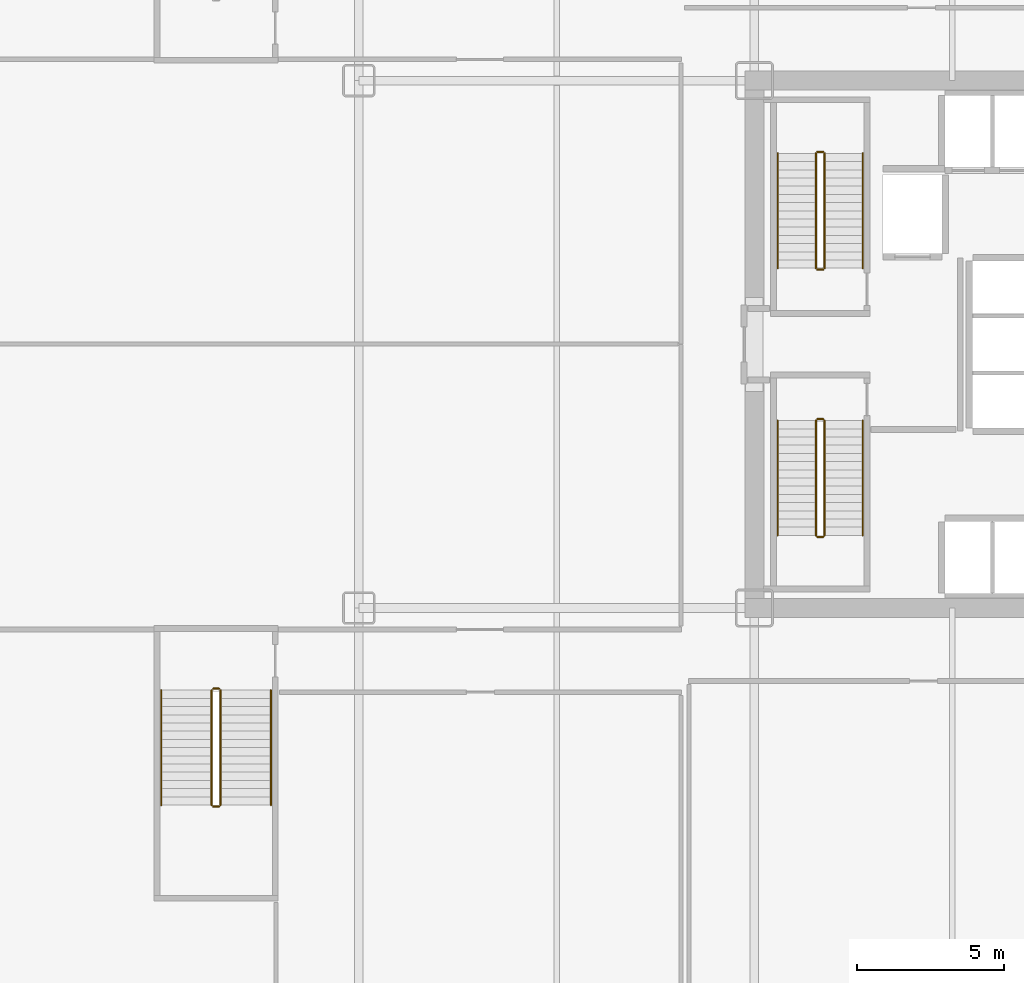
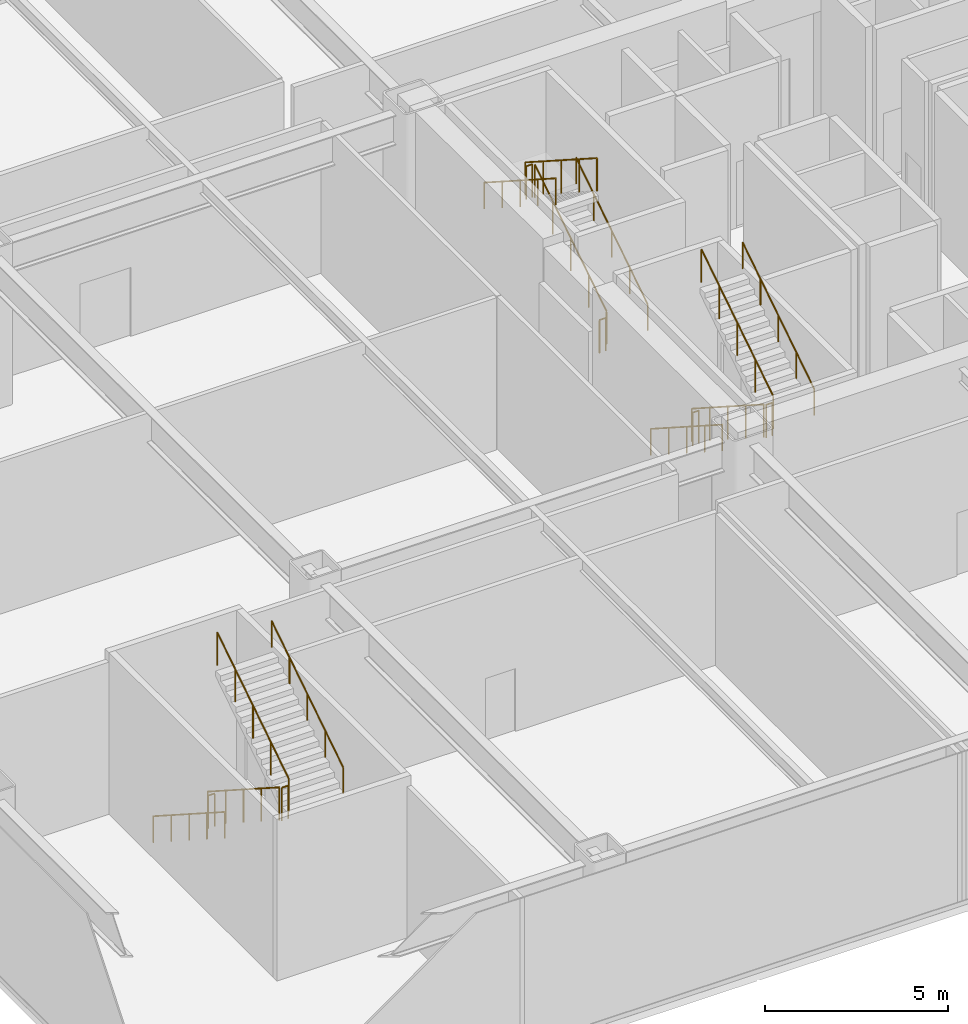
# One storey, part 21 of 24: 18 railings.
"""IFC4 building model written with IfcOpenShell, lengths in metres."""

import ifcopenshell
import ifcopenshell.guid

model = None  # the IFC model being written
_history = None  # IfcOwnerHistory: only IFC2X3 demands one
_inside = {}  # id of a spatial element -> (the spatial element, [elements in it])
_under = {}  # id of a project, library or spatial element -> (it, [spatial elements below it])
_declared = {}  # id of a project -> (the project, [libraries it declares])
_typed = {}  # id of a type object -> (the type object, [elements of that type])
_made_of = {}  # id of a material, layer set ... -> (it, [elements and type objects made of it])


def new_model(schema):
    """Start an empty IFC model of exactly this schema.

    Asked for "IFC4X3", IfcOpenShell would pick the latest addendum, in which some entities
    have other attributes; the version numbers below select the first issue.
    IFC2X3 requires an IfcOwnerHistory on every rooted entity: one is made here for all.
    """
    global model, _history
    if schema == "IFC4X3":
        model = ifcopenshell.file(schema_version=(4, 3, 0, 0))
    else:
        model = ifcopenshell.file(schema=schema)
    _inside.clear()
    _under.clear()
    _declared.clear()
    _typed.clear()
    _made_of.clear()
    _history = None
    if model.schema == "IFC2X3":
        org = make("IfcOrganization", Name="unknown")
        user = make(
            "IfcPersonAndOrganization",
            ThePerson=make("IfcPerson", FamilyName="unknown"),
            TheOrganization=org,
        )
        app = make(
            "IfcApplication",
            ApplicationDeveloper=org,
            Version="unknown",
            ApplicationFullName="unknown",
            ApplicationIdentifier="unknown",
        )
        _history = make(
            "IfcOwnerHistory",
            OwningUser=user,
            OwningApplication=app,
            ChangeAction="ADDED",
            CreationDate=0,
        )
    return model


def make(cls, **values):
    """One entity of the class cls with the attributes given. An attribute that is None is left unset."""
    return model.create_entity(
        cls, **{name: value for name, value in values.items() if value is not None}
    )


def rooted(cls, **values):
    """An entity with a GlobalId (a new one), such as an element, a storey or a relation."""
    return make(cls, GlobalId=ifcopenshell.guid.new(), OwnerHistory=_history, **values)


def si_unit(unit_type, name, prefix=None):
    """IfcSIUnit, for example si_unit("LENGTHUNIT", "METRE", prefix="MILLI")."""
    return make("IfcSIUnit", UnitType=unit_type, Prefix=prefix, Name=name)


def assignment(units):
    """IfcUnitAssignment: the units of a project."""
    return None if units is None else make("IfcUnitAssignment", Units=units)


def point(xyz):
    """IfcCartesianPoint."""
    return None if xyz is None else make("IfcCartesianPoint", Coordinates=xyz)


def direction(xyz):
    """IfcDirection."""
    return None if xyz is None else make("IfcDirection", DirectionRatios=xyz)


def frame(location, z_axis=None, x_axis=None):
    """IfcAxis2Placement3D, a coordinate frame: its origin and axes. An axis left out is left unset."""
    return make(
        "IfcAxis2Placement3D",
        Location=point(location),
        Axis=direction(z_axis),
        RefDirection=direction(x_axis),
    )


def frame_2d(location, x_axis=None):
    """IfcAxis2Placement2D, a coordinate frame in the plane: its origin and x axis."""
    return make(
        "IfcAxis2Placement2D", Location=point(location), RefDirection=direction(x_axis)
    )


def origin():
    """The frame at (0, 0, 0) with its axes left unset."""
    return frame((0.0, 0.0, 0.0))


def origin_2d():
    """The frame at (0, 0) in the plane with its x axis left unset."""
    return frame_2d((0.0, 0.0))


def place(relative_to, where):
    """IfcLocalPlacement: puts the frame where relative to a parent placement (None: the world)."""
    return make(
        "IfcLocalPlacement", PlacementRelTo=relative_to, RelativePlacement=where
    )


def context(
    kind, dimensions, precision=None, world=None, true_north=None, identifier=None
):
    """IfcGeometricRepresentationContext, for example the 3D "Model" context."""
    return make(
        "IfcGeometricRepresentationContext",
        ContextIdentifier=identifier,
        ContextType=kind,
        CoordinateSpaceDimension=dimensions,
        Precision=precision,
        WorldCoordinateSystem=world,
        TrueNorth=true_north,
    )


def subcontext(parent, identifier, kind, view, scale=None):
    """IfcGeometricRepresentationSubContext, for example "Body" below "Model"."""
    return make(
        "IfcGeometricRepresentationSubContext",
        ContextIdentifier=identifier,
        ContextType=kind,
        ParentContext=parent,
        TargetScale=scale,
        TargetView=view,
    )


def project(units=None, contexts=None):
    """IfcProject with its units and contexts."""
    return rooted(
        "IfcProject",
        Name="project",
        RepresentationContexts=contexts,
        UnitsInContext=assignment(units),
    )


def spatial(cls, under=None, at=None, **own):
    """A site, building, storey or space (cls), placed at a placement, below another one or the project."""
    s = rooted(cls, ObjectPlacement=at, **own)
    if under is not None:
        _under.setdefault(under.id(), (under, []))[1].append(s)
    return s


def profile(cls, at=None, kind="AREA", **sizes):
    """A parametric profile (cls). Its sizes go by their IFC names, for example OverallWidth=200.0."""
    return make(cls, ProfileType=kind, Position=at, **sizes)


def circle(**sizes):
    """IfcCircleProfileDef."""
    return profile("IfcCircleProfileDef", **sizes)


def extrude(swept, where, along, depth):
    """IfcExtrudedAreaSolid: the profile swept, set in the frame where, extruded along a direction by depth."""
    return make(
        "IfcExtrudedAreaSolid",
        SweptArea=swept,
        Position=where,
        ExtrudedDirection=direction(along),
        Depth=depth,
    )


def shape(context_of_items, identifier, shape_type, items):
    """IfcShapeRepresentation: the items that make up one representation, for example the "Body"."""
    return make(
        "IfcShapeRepresentation",
        ContextOfItems=context_of_items,
        RepresentationIdentifier=identifier,
        RepresentationType=shape_type,
        Items=items,
    )


def material(Name=None, Category=None):
    """IfcMaterial."""
    return make("IfcMaterial", Name=Name, Category=Category)


def made_of(thing, what):
    """Note that an element or type object is made of a material, layer set ...; save() writes the relation."""
    if what is not None:
        _made_of.setdefault(what.id(), (what, []))[1].append(thing)
    return thing


def type_object(cls, material=None, **own):
    """A type object (cls), such as IfcWallType, which elements share."""
    return made_of(rooted(cls, **own), material)


def element(
    cls,
    number,
    at=None,
    inside=None,
    cuts=None,
    type_object=None,
    material=None,
    context=None,
    identifier="Body",
    shape_type=None,
    held_by="IfcProductDefinitionShape",
    body=None,
    shapes=None,
    **own,
):
    """One element of the class cls, such as IfcWall. Its Tag is "e" and its number.

    at: its placement. inside: the storey or other place that contains it. cuts: it is an
    opening in that element (IfcRelVoidsElement). A single representation is given by context,
    identifier, shape_type and body (its items); several are given by shapes. held_by: the class
    of the entity that holds the representations. save() writes the other relations.
    """
    e = rooted(cls, Tag="e%d" % number, ObjectPlacement=at, **own)
    if body is not None:
        shapes = [shape(context, identifier, shape_type, body)]
    if shapes is not None:
        e.Representation = make(held_by, Representations=shapes)
    if inside is not None:
        _inside.setdefault(inside.id(), (inside, []))[1].append(e)
    if cuts is not None:
        rooted(
            "IfcRelVoidsElement", RelatingBuildingElement=cuts, RelatedOpeningElement=e
        )
    if type_object is not None:
        _typed.setdefault(type_object.id(), (type_object, []))[1].append(e)
    return made_of(e, material)


def aggregate(whole, parts):
    """IfcRelAggregates: a whole, such as a stair, and the parts it consists of."""
    return rooted("IfcRelAggregates", RelatingObject=whole, RelatedObjects=parts)


def save(model, path):
    """Write the relations noted so far, then the file.

    IfcRelAggregates (storeys below a building ...), IfcRelContainedInSpatialStructure (elements
    in a storey), IfcRelDefinesByType, IfcRelAssociatesMaterial and IfcRelDeclares: one each for
    every whole, place, type object, material and project.
    """
    for whole, parts in _under.values():
        aggregate(whole, parts)
    for where, things in _inside.values():
        rooted(
            "IfcRelContainedInSpatialStructure",
            RelatedElements=things,
            RelatingStructure=where,
        )
    for kind, things in _typed.values():
        rooted("IfcRelDefinesByType", RelatedObjects=things, RelatingType=kind)
    for what, things in _made_of.values():
        rooted("IfcRelAssociatesMaterial", RelatedObjects=things, RelatingMaterial=what)
    for by, libraries in _declared.values():
        rooted("IfcRelDeclares", RelatingContext=by, RelatedDefinitions=libraries)
    model.write(path)


model = new_model("IFC4")

# Units and contexts
model_context = context("Model", 3, precision=1e-05, world=origin(), true_north=direction((0.0, 1.0)))
body_context = subcontext(model_context, "Body", "Model", "MODEL_VIEW")
ifc_project = project(units=[si_unit("LENGTHUNIT", "METRE"), si_unit("AREAUNIT", "SQUARE_METRE"), si_unit("VOLUMEUNIT", "CUBIC_METRE"), si_unit("PLANEANGLEUNIT", "RADIAN"), si_unit("MASSUNIT", "GRAM", prefix="KILO")], contexts=[model_context])

# Site, building, storey
site_placement = place(None, origin())
site = spatial("IfcSite", under=ifc_project, at=site_placement, CompositionType="ELEMENT")
building_placement = place(site_placement, origin())
building = spatial("IfcBuilding", under=site, at=building_placement, Name="Nefas-Gora Pilgrimage Tower", CompositionType="ELEMENT")
storey_placement = place(building_placement, frame((0.0, 0.0, 16.800048828125)))
storey = spatial("IfcBuildingStorey", under=building, at=storey_placement, Name="L03", CompositionType="ELEMENT", Elevation=16.800048828125)

# Railings
ifc_material_1 = material(Name="Painted galvanised steel", Category="steel")
railing_type_1 = type_object("IfcRailingType", Name="RLG-STR-GUARD-1100", PredefinedType="GUARDRAIL", material=ifc_material_1)
railing_1_placement = place(storey_placement, frame((-8.85009765625, 2.60009765625, 0.179931640625)))
element("IfcRailing", 1, at=railing_1_placement, inside=storey, type_object=railing_type_1, Name="L03 ST-01 stair guard 1", PredefinedType="GUARDRAIL", context=body_context, shape_type="SweptSolid", body=[
    extrude(circle(Radius=0.02392578125, at=origin_2d()), frame((0.0, 0.0, 1.09619140625), z_axis=(0.0, 0.841171666519, 0.540768182723), x_axis=(-1.0, 0.0, 0.0)), (0.0, 0.0, 1.0), 4.66015625),
    extrude(circle(Radius=0.02099609375, at=origin_2d()), origin(), (0.0, 0.0, 1.0), 1.072021484375),
    extrude(circle(Radius=0.02099609375, at=origin_2d()), frame((0.0, 0.97998046875, 0.6298828125)), (0.0, 0.0, 1.0), 1.072021484375),
    extrude(circle(Radius=0.02099609375, at=origin_2d()), frame((0.0, 1.9599609375, 1.260009765625)), (0.0, 0.0, 1.0), 1.072021484375),
    extrude(circle(Radius=0.02099609375, at=origin_2d()), frame((0.0, 2.93994140625, 1.89013671875)), (0.0, 0.0, 1.0), 1.072021484375),
    extrude(circle(Radius=0.02099609375, at=origin_2d()), frame((0.0, 3.919921875, 2.52001953125)), (0.0, 0.0, 1.0), 1.072021484375),
])
railing_2_placement = place(storey_placement, frame((-8.89990234375, 6.570068359375, 2.699951171875)))
element("IfcRailing", 2, at=railing_2_placement, inside=storey, type_object=railing_type_1, Name="L03 ST-01 stair guard 2", PredefinedType="GUARDRAIL", context=body_context, shape_type="SweptSolid", body=[
    extrude(circle(Radius=0.02392578125, at=origin_2d()), frame((0.0, 0.0, 1.09619140625), z_axis=(-1.0, 0.0, 0.0), x_axis=(0.0, -1.0, 0.0)), (0.0, 0.0, 1.0), 0.2001953125),
    extrude(circle(Radius=0.02099609375, at=origin_2d()), origin(), (0.0, 0.0, 1.0), 1.072021484375),
    extrude(circle(Radius=0.02099609375, at=origin_2d()), frame((-0.2001953125, 0.0, 0.0)), (0.0, 0.0, 1.0), 1.072021484375),
])
railing_3_placement = place(storey_placement, frame((-9.14990234375, 6.52001953125, 2.8798828125)))
element("IfcRailing", 3, at=railing_3_placement, inside=storey, type_object=railing_type_1, Name="L03 ST-01 stair guard 3", PredefinedType="GUARDRAIL", context=body_context, shape_type="SweptSolid", body=[
    extrude(circle(Radius=0.02392578125, at=origin_2d()), frame((0.0, 0.0, 1.09619140625), z_axis=(0.0, -0.841171666519, 0.540768182723), x_axis=(1.0, 0.0, 0.0)), (0.0, 0.0, 1.0), 4.66015625),
    extrude(circle(Radius=0.02099609375, at=origin_2d()), origin(), (0.0, 0.0, 1.0), 1.072021484375),
    extrude(circle(Radius=0.02099609375, at=origin_2d()), frame((0.0, -0.97998046875, 0.6298828125)), (0.0, 0.0, 1.0), 1.072021484375),
    extrude(circle(Radius=0.02099609375, at=origin_2d()), frame((0.0, -1.9599609375, 1.260009765625)), (0.0, 0.0, 1.0), 1.072021484375),
    extrude(circle(Radius=0.02099609375, at=origin_2d()), frame((0.0, -2.93994140625, 1.89013671875)), (0.0, 0.0, 1.0), 1.072021484375),
    extrude(circle(Radius=0.02099609375, at=origin_2d()), frame((0.0, -3.919921875, 2.52001953125)), (0.0, 0.0, 1.0), 1.072021484375),
])
railing_4_placement = place(storey_placement, frame((-8.89990234375, 2.550048828125, 0.0)))
element("IfcRailing", 4, at=railing_4_placement, inside=storey, type_object=railing_type_1, Name="L03 ST-01 stair guard 4", PredefinedType="GUARDRAIL", context=body_context, shape_type="SweptSolid", body=[
    extrude(circle(Radius=0.02392578125, at=origin_2d()), frame((0.0, 0.0, 1.09619140625), z_axis=(-1.0, 0.0, 0.0), x_axis=(0.0, -1.0, 0.0)), (0.0, 0.0, 1.0), 0.2001953125),
    extrude(circle(Radius=0.02099609375, at=origin_2d()), origin(), (0.0, 0.0, 1.0), 1.072021484375),
    extrude(circle(Radius=0.02099609375, at=origin_2d()), frame((-0.2001953125, 0.0, 0.0)), (0.0, 0.0, 1.0), 1.072021484375),
])
railing_5_placement = place(storey_placement, frame((-9.14990234375, -2.60009765625, 0.179931640625)))
element("IfcRailing", 5, at=railing_5_placement, inside=storey, type_object=railing_type_1, Name="L03 ST-03 stair guard 1", PredefinedType="GUARDRAIL", context=body_context, shape_type="SweptSolid", body=[
    extrude(circle(Radius=0.02392578125, at=origin_2d()), frame((0.0, 0.0, 1.09619140625), z_axis=(0.0, -0.841171666519, 0.540768182723), x_axis=(1.0, 0.0, 0.0)), (0.0, 0.0, 1.0), 4.66015625),
    extrude(circle(Radius=0.02099609375, at=origin_2d()), origin(), (0.0, 0.0, 1.0), 1.072021484375),
    extrude(circle(Radius=0.02099609375, at=origin_2d()), frame((0.0, -0.97998046875, 0.6298828125)), (0.0, 0.0, 1.0), 1.072021484375),
    extrude(circle(Radius=0.02099609375, at=origin_2d()), frame((0.0, -1.9599609375, 1.260009765625)), (0.0, 0.0, 1.0), 1.072021484375),
    extrude(circle(Radius=0.02099609375, at=origin_2d()), frame((0.0, -2.93994140625, 1.89013671875)), (0.0, 0.0, 1.0), 1.072021484375),
    extrude(circle(Radius=0.02099609375, at=origin_2d()), frame((0.0, -3.919921875, 2.52001953125)), (0.0, 0.0, 1.0), 1.072021484375),
])
railing_6_placement = place(storey_placement, frame((-9.10009765625, -6.570068359375, 2.699951171875)))
element("IfcRailing", 6, at=railing_6_placement, inside=storey, type_object=railing_type_1, Name="L03 ST-03 stair guard 2", PredefinedType="GUARDRAIL", context=body_context, shape_type="SweptSolid", body=[
    extrude(circle(Radius=0.02392578125, at=origin_2d()), frame((0.0, 0.0, 1.09619140625), z_axis=(1.0, 0.0, 0.0), x_axis=(0.0, 1.0, 0.0)), (0.0, 0.0, 1.0), 0.2001953125),
    extrude(circle(Radius=0.02099609375, at=origin_2d()), origin(), (0.0, 0.0, 1.0), 1.072021484375),
    extrude(circle(Radius=0.02099609375, at=origin_2d()), frame((0.2001953125, 0.0, 0.0)), (0.0, 0.0, 1.0), 1.072021484375),
])
railing_7_placement = place(storey_placement, frame((-8.85009765625, -6.52001953125, 2.8798828125)))
element("IfcRailing", 7, at=railing_7_placement, inside=storey, type_object=railing_type_1, Name="L03 ST-03 stair guard 3", PredefinedType="GUARDRAIL", context=body_context, shape_type="SweptSolid", body=[
    extrude(circle(Radius=0.02392578125, at=origin_2d()), frame((0.0, 0.0, 1.09619140625), z_axis=(0.0, 0.841171666519, 0.540768182723), x_axis=(-1.0, 0.0, 0.0)), (0.0, 0.0, 1.0), 4.66015625),
    extrude(circle(Radius=0.02099609375, at=origin_2d()), origin(), (0.0, 0.0, 1.0), 1.072021484375),
    extrude(circle(Radius=0.02099609375, at=origin_2d()), frame((0.0, 0.97998046875, 0.6298828125)), (0.0, 0.0, 1.0), 1.072021484375),
    extrude(circle(Radius=0.02099609375, at=origin_2d()), frame((0.0, 1.9599609375, 1.260009765625)), (0.0, 0.0, 1.0), 1.072021484375),
    extrude(circle(Radius=0.02099609375, at=origin_2d()), frame((0.0, 2.93994140625, 1.89013671875)), (0.0, 0.0, 1.0), 1.072021484375),
    extrude(circle(Radius=0.02099609375, at=origin_2d()), frame((0.0, 3.919921875, 2.52001953125)), (0.0, 0.0, 1.0), 1.072021484375),
])
railing_8_placement = place(storey_placement, frame((-9.10009765625, -2.550048828125, 0.0)))
element("IfcRailing", 8, at=railing_8_placement, inside=storey, type_object=railing_type_1, Name="L03 ST-03 stair guard 4", PredefinedType="GUARDRAIL", context=body_context, shape_type="SweptSolid", body=[
    extrude(circle(Radius=0.02392578125, at=origin_2d()), frame((0.0, 0.0, 1.09619140625), z_axis=(1.0, 0.0, 0.0), x_axis=(0.0, 1.0, 0.0)), (0.0, 0.0, 1.0), 0.2001953125),
    extrude(circle(Radius=0.02099609375, at=origin_2d()), origin(), (0.0, 0.0, 1.0), 1.072021484375),
    extrude(circle(Radius=0.02099609375, at=origin_2d()), frame((0.2001953125, 0.0, 0.0)), (0.0, 0.0, 1.0), 1.072021484375),
])
railing_9_placement = place(storey_placement, frame((-29.77001953125, -11.800048828125, 0.179931640625)))
element("IfcRailing", 9, at=railing_9_placement, inside=storey, type_object=railing_type_1, Name="L03 ST-05 stair guard 1", PredefinedType="GUARDRAIL", context=body_context, shape_type="SweptSolid", body=[
    extrude(circle(Radius=0.02392578125, at=origin_2d()), frame((0.0, 0.0, 1.09619140625), z_axis=(0.0, -0.841171666519, 0.540768182723), x_axis=(1.0, 0.0, 0.0)), (0.0, 0.0, 1.0), 4.66015625),
    extrude(circle(Radius=0.02099609375, at=origin_2d()), origin(), (0.0, 0.0, 1.0), 1.072021484375),
    extrude(circle(Radius=0.02099609375, at=origin_2d()), frame((0.0, -0.97998046875, 0.6298828125)), (0.0, 0.0, 1.0), 1.072021484375),
    extrude(circle(Radius=0.02099609375, at=origin_2d()), frame((0.0, -1.9599609375, 1.260009765625)), (0.0, 0.0, 1.0), 1.072021484375),
    extrude(circle(Radius=0.02099609375, at=origin_2d()), frame((0.0, -2.93994140625, 1.89013671875)), (0.0, 0.0, 1.0), 1.072021484375),
    extrude(circle(Radius=0.02099609375, at=origin_2d()), frame((0.0, -3.919921875, 2.52001953125)), (0.0, 0.0, 1.0), 1.072021484375),
])
railing_10_placement = place(storey_placement, frame((-29.719970703125, -15.77001953125, 2.699951171875)))
element("IfcRailing", 10, at=railing_10_placement, inside=storey, type_object=railing_type_1, Name="L03 ST-05 stair guard 2", PredefinedType="GUARDRAIL", context=body_context, shape_type="SweptSolid", body=[
    extrude(circle(Radius=0.02392578125, at=origin_2d()), frame((0.0, 0.0, 1.09619140625), z_axis=(1.0, 0.0, 0.0), x_axis=(0.0, 1.0, 0.0)), (0.0, 0.0, 1.0), 0.199951171875),
    extrude(circle(Radius=0.02099609375, at=origin_2d()), origin(), (0.0, 0.0, 1.0), 1.072021484375),
    extrude(circle(Radius=0.02099609375, at=origin_2d()), frame((0.199951171875, 0.0, 0.0)), (0.0, 0.0, 1.0), 1.072021484375),
])
railing_11_placement = place(storey_placement, frame((-29.469970703125, -15.719970703125, 2.8798828125)))
element("IfcRailing", 11, at=railing_11_placement, inside=storey, type_object=railing_type_1, Name="L03 ST-05 stair guard 3", PredefinedType="GUARDRAIL", context=body_context, shape_type="SweptSolid", body=[
    extrude(circle(Radius=0.02392578125, at=origin_2d()), frame((0.0, 0.0, 1.09619140625), z_axis=(0.0, 0.841171666519, 0.540768182723), x_axis=(-1.0, 0.0, 0.0)), (0.0, 0.0, 1.0), 4.66015625),
    extrude(circle(Radius=0.02099609375, at=origin_2d()), origin(), (0.0, 0.0, 1.0), 1.072021484375),
    extrude(circle(Radius=0.02099609375, at=origin_2d()), frame((0.0, 0.97998046875, 0.6298828125)), (0.0, 0.0, 1.0), 1.072021484375),
    extrude(circle(Radius=0.02099609375, at=origin_2d()), frame((0.0, 1.9599609375, 1.260009765625)), (0.0, 0.0, 1.0), 1.072021484375),
    extrude(circle(Radius=0.02099609375, at=origin_2d()), frame((0.0, 2.93994140625, 1.89013671875)), (0.0, 0.0, 1.0), 1.072021484375),
    extrude(circle(Radius=0.02099609375, at=origin_2d()), frame((0.0, 3.919921875, 2.52001953125)), (0.0, 0.0, 1.0), 1.072021484375),
])
railing_12_placement = place(storey_placement, frame((-29.719970703125, -11.75, 0.0)))
element("IfcRailing", 12, at=railing_12_placement, inside=storey, type_object=railing_type_1, Name="L03 ST-05 stair guard 4", PredefinedType="GUARDRAIL", context=body_context, shape_type="SweptSolid", body=[
    extrude(circle(Radius=0.02392578125, at=origin_2d()), frame((0.0, 0.0, 1.09619140625), z_axis=(1.0, 0.0, 0.0), x_axis=(0.0, 1.0, 0.0)), (0.0, 0.0, 1.0), 0.199951171875),
    extrude(circle(Radius=0.02099609375, at=origin_2d()), origin(), (0.0, 0.0, 1.0), 1.072021484375),
    extrude(circle(Radius=0.02099609375, at=origin_2d()), frame((0.199951171875, 0.0, 0.0)), (0.0, 0.0, 1.0), 1.072021484375),
])
ifc_material_2 = material(Name="Brushed stainless steel", Category="steel")
railing_type_2 = type_object("IfcRailingType", Name="RLG-STR-HAND-900", PredefinedType="HANDRAIL", material=ifc_material_2)
railing_13_placement = place(storey_placement, frame((-7.550048828125, 2.60009765625, 0.179931640625)))
element("IfcRailing", 13, at=railing_13_placement, inside=storey, type_object=railing_type_2, Name="L03 ST-01 stair handrail 1", PredefinedType="HANDRAIL", context=body_context, shape_type="SweptSolid", body=[
    extrude(circle(Radius=0.02392578125, at=origin_2d()), frame((0.0, 0.0, 0.8759765625), z_axis=(0.0, 0.841171666519, 0.540768182723), x_axis=(-1.0, 0.0, 0.0)), (0.0, 0.0, 1.0), 4.66015625),
    extrude(circle(Radius=0.02099609375, at=origin_2d()), origin(), (0.0, 0.0, 1.0), 0.851806640625),
    extrude(circle(Radius=0.02099609375, at=origin_2d()), frame((0.0, 0.97998046875, 0.6298828125)), (0.0, 0.0, 1.0), 0.851806640625),
    extrude(circle(Radius=0.02099609375, at=origin_2d()), frame((0.0, 1.9599609375, 1.260009765625)), (0.0, 0.0, 1.0), 0.851806640625),
    extrude(circle(Radius=0.02099609375, at=origin_2d()), frame((0.0, 2.93994140625, 1.89013671875)), (0.0, 0.0, 1.0), 0.851806640625),
    extrude(circle(Radius=0.02099609375, at=origin_2d()), frame((0.0, 3.919921875, 2.52001953125)), (0.0, 0.0, 1.0), 0.851806640625),
])
for number, where, name in (
    (14, (-10.449951171875, 6.52001953125, 2.8798828125), "L03 ST-01 stair handrail 2"),
    (15, (-10.449951171875, -2.60009765625, 0.179931640625), "L03 ST-03 stair handrail 1"),
):
    element("IfcRailing", number, at=place(storey_placement, frame(where)), inside=storey, type_object=railing_type_2, Name=name, PredefinedType="HANDRAIL", context=body_context, shape_type="SweptSolid", body=[
        extrude(circle(Radius=0.02392578125, at=origin_2d()), frame((0.0, 0.0, 0.8759765625), z_axis=(0.0, -0.841171666519, 0.540768182723), x_axis=(1.0, 0.0, 0.0)), (0.0, 0.0, 1.0), 4.66015625),
        extrude(circle(Radius=0.02099609375, at=origin_2d()), origin(), (0.0, 0.0, 1.0), 0.851806640625),
        extrude(circle(Radius=0.02099609375, at=origin_2d()), frame((0.0, -0.97998046875, 0.6298828125)), (0.0, 0.0, 1.0), 0.851806640625),
        extrude(circle(Radius=0.02099609375, at=origin_2d()), frame((0.0, -1.9599609375, 1.260009765625)), (0.0, 0.0, 1.0), 0.851806640625),
        extrude(circle(Radius=0.02099609375, at=origin_2d()), frame((0.0, -2.93994140625, 1.89013671875)), (0.0, 0.0, 1.0), 0.851806640625),
        extrude(circle(Radius=0.02099609375, at=origin_2d()), frame((0.0, -3.919921875, 2.52001953125)), (0.0, 0.0, 1.0), 0.851806640625),
    ])
railing_14_placement = place(storey_placement, frame((-7.550048828125, -6.52001953125, 2.8798828125)))
element("IfcRailing", 16, at=railing_14_placement, inside=storey, type_object=railing_type_2, Name="L03 ST-03 stair handrail 2", PredefinedType="HANDRAIL", context=body_context, shape_type="SweptSolid", body=[
    extrude(circle(Radius=0.02392578125, at=origin_2d()), frame((0.0, 0.0, 0.8759765625), z_axis=(0.0, 0.841171666519, 0.540768182723), x_axis=(-1.0, 0.0, 0.0)), (0.0, 0.0, 1.0), 4.66015625),
    extrude(circle(Radius=0.02099609375, at=origin_2d()), origin(), (0.0, 0.0, 1.0), 0.851806640625),
    extrude(circle(Radius=0.02099609375, at=origin_2d()), frame((0.0, 0.97998046875, 0.6298828125)), (0.0, 0.0, 1.0), 0.851806640625),
    extrude(circle(Radius=0.02099609375, at=origin_2d()), frame((0.0, 1.9599609375, 1.260009765625)), (0.0, 0.0, 1.0), 0.851806640625),
    extrude(circle(Radius=0.02099609375, at=origin_2d()), frame((0.0, 2.93994140625, 1.89013671875)), (0.0, 0.0, 1.0), 0.851806640625),
    extrude(circle(Radius=0.02099609375, at=origin_2d()), frame((0.0, 3.919921875, 2.52001953125)), (0.0, 0.0, 1.0), 0.851806640625),
])
railing_15_placement = place(storey_placement, frame((-31.489990234375, -11.800048828125, 0.179931640625)))
element("IfcRailing", 17, at=railing_15_placement, inside=storey, type_object=railing_type_2, Name="L03 ST-05 stair handrail 1", PredefinedType="HANDRAIL", context=body_context, shape_type="SweptSolid", body=[
    extrude(circle(Radius=0.02392578125, at=origin_2d()), frame((0.0, 0.0, 0.8759765625), z_axis=(0.0, -0.841171666519, 0.540768182723), x_axis=(1.0, 0.0, 0.0)), (0.0, 0.0, 1.0), 4.66015625),
    extrude(circle(Radius=0.02099609375, at=origin_2d()), origin(), (0.0, 0.0, 1.0), 0.851806640625),
    extrude(circle(Radius=0.02099609375, at=origin_2d()), frame((0.0, -0.97998046875, 0.6298828125)), (0.0, 0.0, 1.0), 0.851806640625),
    extrude(circle(Radius=0.02099609375, at=origin_2d()), frame((0.0, -1.9599609375, 1.260009765625)), (0.0, 0.0, 1.0), 0.851806640625),
    extrude(circle(Radius=0.02099609375, at=origin_2d()), frame((0.0, -2.93994140625, 1.89013671875)), (0.0, 0.0, 1.0), 0.851806640625),
    extrude(circle(Radius=0.02099609375, at=origin_2d()), frame((0.0, -3.919921875, 2.52001953125)), (0.0, 0.0, 1.0), 0.851806640625),
])
railing_16_placement = place(storey_placement, frame((-27.75, -15.719970703125, 2.8798828125)))
element("IfcRailing", 18, at=railing_16_placement, inside=storey, type_object=railing_type_2, Name="L03 ST-05 stair handrail 2", PredefinedType="HANDRAIL", context=body_context, shape_type="SweptSolid", body=[
    extrude(circle(Radius=0.02392578125, at=origin_2d()), frame((0.0, 0.0, 0.8759765625), z_axis=(0.0, 0.841171666519, 0.540768182723), x_axis=(-1.0, 0.0, 0.0)), (0.0, 0.0, 1.0), 4.66015625),
    extrude(circle(Radius=0.02099609375, at=origin_2d()), origin(), (0.0, 0.0, 1.0), 0.851806640625),
    extrude(circle(Radius=0.02099609375, at=origin_2d()), frame((0.0, 0.97998046875, 0.6298828125)), (0.0, 0.0, 1.0), 0.851806640625),
    extrude(circle(Radius=0.02099609375, at=origin_2d()), frame((0.0, 1.9599609375, 1.260009765625)), (0.0, 0.0, 1.0), 0.851806640625),
    extrude(circle(Radius=0.02099609375, at=origin_2d()), frame((0.0, 2.93994140625, 1.89013671875)), (0.0, 0.0, 1.0), 0.851806640625),
    extrude(circle(Radius=0.02099609375, at=origin_2d()), frame((0.0, 3.919921875, 2.52001953125)), (0.0, 0.0, 1.0), 0.851806640625),
])

save(model, "model.ifc")
